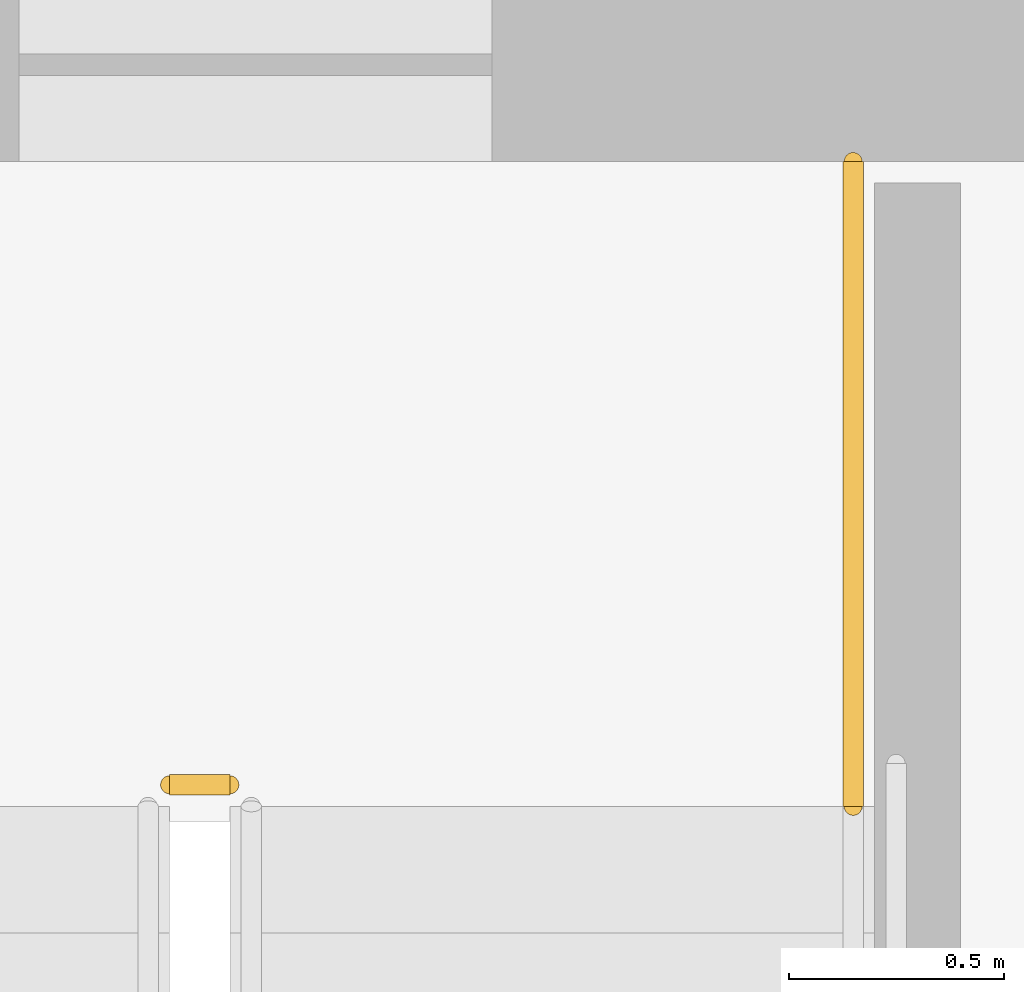
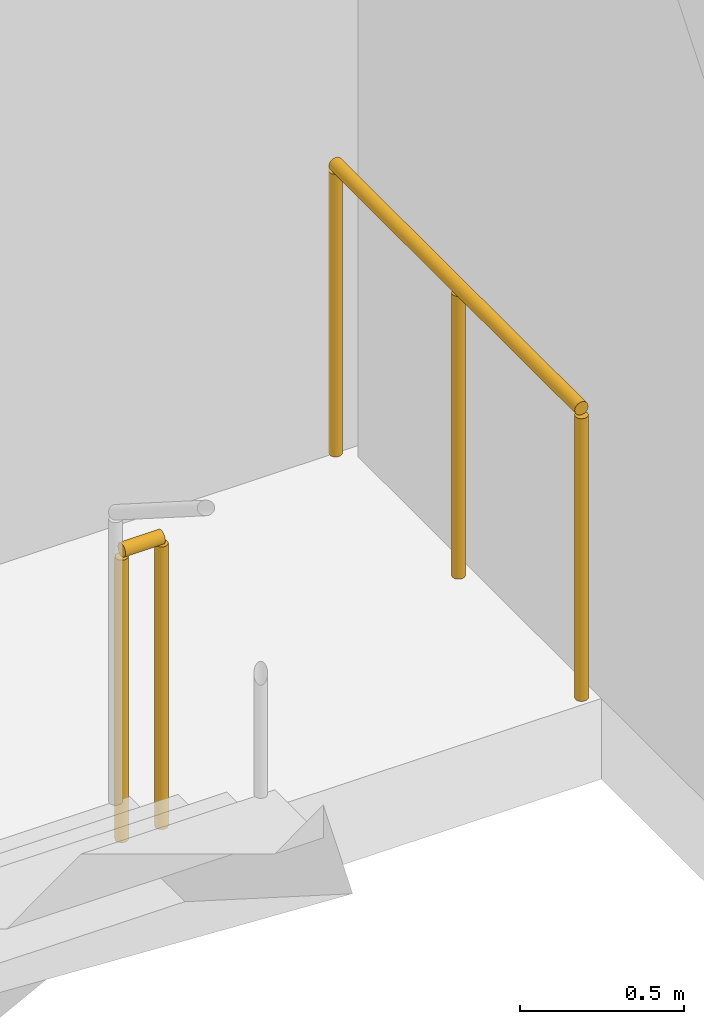
# One storey, part 19 of 30: 2 railings.
"""IFC4 building model written with IfcOpenShell, lengths in metres."""

from ifc_helpers import new_model, si_unit, direction, frame, origin, origin_2d, place, context, subcontext, project, spatial, circle, extrude, material, layer, layer_set, type_object, element, save


model = new_model("IFC4")

# Units and contexts
model_context = context("Model", 3, precision=1e-05, world=origin(), true_north=direction((0.0, 1.0)))
body_context = subcontext(model_context, "Body", "Model", "MODEL_VIEW")
ifc_project = project(units=[si_unit("LENGTHUNIT", "METRE"), si_unit("AREAUNIT", "SQUARE_METRE"), si_unit("VOLUMEUNIT", "CUBIC_METRE"), si_unit("PLANEANGLEUNIT", "RADIAN"), si_unit("MASSUNIT", "GRAM", prefix="KILO")], contexts=[model_context])

# Site, building, storey
site_placement = place(None, origin())
site = spatial("IfcSite", under=ifc_project, at=site_placement, CompositionType="ELEMENT")
building_placement = place(site_placement, origin())
building = spatial("IfcBuilding", under=site, at=building_placement, Name="Ndaravel Arena Tower", CompositionType="ELEMENT")
storey_placement = place(building_placement, frame((0.0, 0.0, 6.0)))
storey = spatial("IfcBuildingStorey", under=building, at=storey_placement, Name="L01", CompositionType="ELEMENT", Elevation=6.0)

# Railings
ifc_material = material(Name="Steel S355", Category="steel")
ifc_layer = layer(ifc_material, 0.06005859375)
ifc_layer_set = layer_set([ifc_layer], Name="Steel S355")
railing_type = type_object("IfcRailingType", Name="RAIL-STAIR-GD1100", PredefinedType="GUARDRAIL", material=ifc_layer_set)
railing_1_placement = place(storey_placement, frame((40.449951171875, 13.300048828125, 0.0)))
element("IfcRailing", 1, at=railing_1_placement, inside=storey, type_object=railing_type, Name="L01 ST-2 stair guard 4", PredefinedType="GUARDRAIL", context=body_context, shape_type="SweptSolid", body=[
    extrude(circle(Radius=0.02392578125, at=origin_2d()), frame((0.0, 0.0, 1.076171875), z_axis=(1.0, 0.0, 0.0), x_axis=(0.0, 1.0, 0.0)), (0.0, 0.0, 1.0), 0.14013671875),
    extrude(circle(Radius=0.02099609375, at=origin_2d()), origin(), (0.0, 0.0, 1.0), 1.052001953125),
    extrude(circle(Radius=0.02099609375, at=origin_2d()), frame((0.14013671875, 0.0, 0.0)), (0.0, 0.0, 1.0), 1.052001953125),
])
railing_2_placement = place(storey_placement, frame((42.0400390625, 14.75, 0.0)))
element("IfcRailing", 2, at=railing_2_placement, inside=storey, type_object=railing_type, Name="L01 ST-2 stair guard 5", PredefinedType="GUARDRAIL", context=body_context, shape_type="SweptSolid", body=[
    extrude(circle(Radius=0.02392578125, at=origin_2d()), frame((0.0, 0.0, 1.076171875), z_axis=(0.0, -1.0, 0.0), x_axis=(1.0, 0.0, 0.0)), (0.0, 0.0, 1.0), 1.5),
    extrude(circle(Radius=0.02099609375, at=origin_2d()), origin(), (0.0, 0.0, 1.0), 1.052001953125),
    extrude(circle(Radius=0.02099609375, at=origin_2d()), frame((0.0, -0.75, 0.0)), (0.0, 0.0, 1.0), 1.052001953125),
    extrude(circle(Radius=0.02099609375, at=origin_2d()), frame((0.0, -1.5, 0.0)), (0.0, 0.0, 1.0), 1.052001953125),
])

save(model, "model.ifc")
